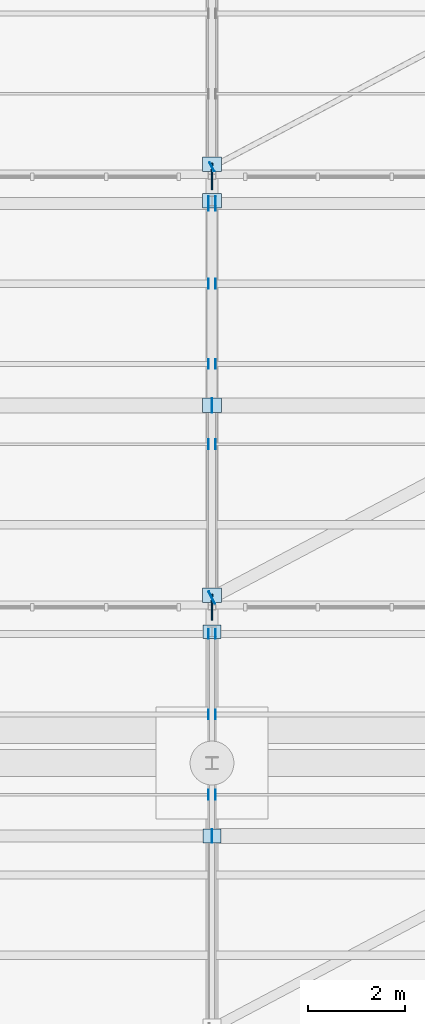
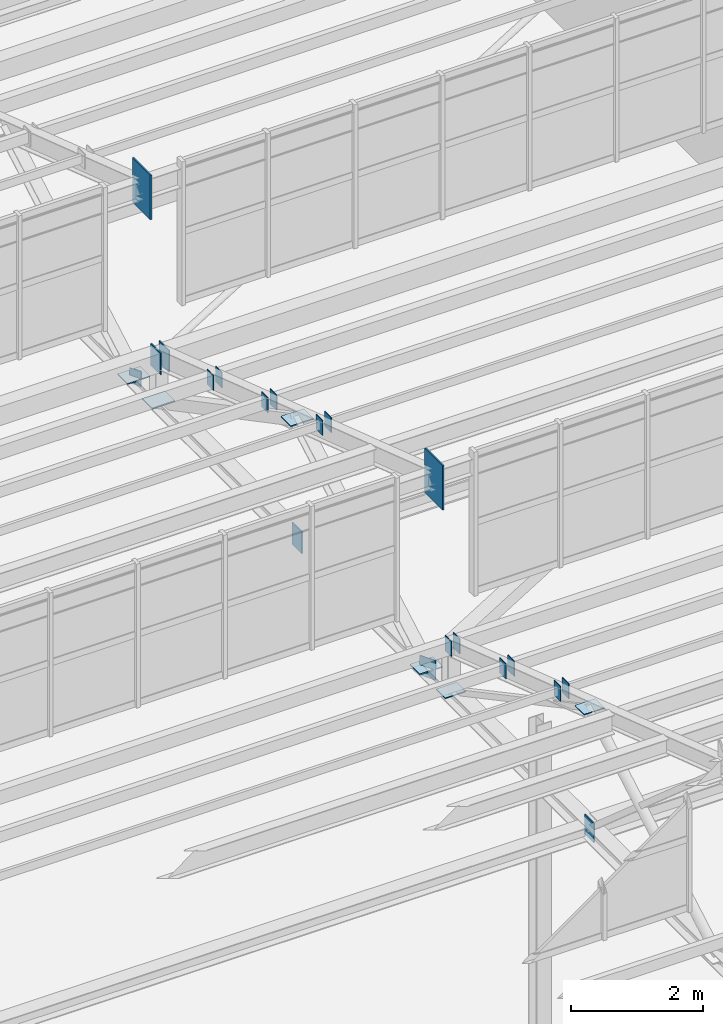
# One storey, part 210 of 285: 26 plates.
"""IFC4 building model written with IfcOpenShell, lengths in metres."""

from ifc_helpers import new_model, si_unit, direction, frame, origin, origin_2d, place, context, subcontext, project, spatial, rectangle, extrude, material, layer, layer_set, type_object, element, save


model = new_model("IFC4")

# Units and contexts
model_context = context("Model", 3, precision=1e-05, world=origin(), true_north=direction((0.0, 1.0)))
body_context = subcontext(model_context, "Body", "Model", "MODEL_VIEW")
ifc_project = project(units=[si_unit("LENGTHUNIT", "METRE"), si_unit("AREAUNIT", "SQUARE_METRE"), si_unit("VOLUMEUNIT", "CUBIC_METRE"), si_unit("PLANEANGLEUNIT", "RADIAN"), si_unit("MASSUNIT", "GRAM", prefix="KILO")], contexts=[model_context])

# Site, building, storey
site_placement = place(None, origin())
site = spatial("IfcSite", under=ifc_project, at=site_placement, CompositionType="ELEMENT")
building_placement = place(site_placement, origin())
building = spatial("IfcBuilding", under=site, at=building_placement, Name="Solanera Park Tramway Depot", CompositionType="ELEMENT")
storey_placement = place(building_placement, origin())
storey = spatial("IfcBuildingStorey", under=building, at=storey_placement, Name="L00", CompositionType="ELEMENT", Elevation=0.0)

# Plates
ifc_material_1 = material(Name="Steel AS/NZS 3679.1 Grade 350", Category="steel")
ifc_layer_1 = layer(ifc_material_1, 0.013916015625)
ifc_layer_set_1 = layer_set([ifc_layer_1], Name="Steel AS/NZS 3679.1 Grade 350")
plate_type_1 = type_object("IfcPlateType", Name="Hollow End Cap and Base Plate 280x200x14", PredefinedType="USERDEFINED", material=ifc_layer_set_1)
for number, where, z_axis, x_axis, name in (
    (1, (44.927978515625, 113.85009765625, 8.41064453125), (0.0, 0.0, 1.0), (1.0, 0.0, 0.0), "Hollow Section Welded End Cap Plate #0688"),
    (2, (45.072021484375, 113.85009765625, 8.41064453125), (0.0, 0.0, 1.0), (1.0, 0.0, 0.0), "Hollow Section Welded End Cap Plate #0689"),
    (3, (44.927978515625, 115.5, 7.8251953125), (0.0, 0.0, 1.0), (1.0, 0.0, 0.0), "Hollow Section Welded End Cap Plate #0708"),
    (4, (45.072021484375, 115.5, 7.8251953125), (0.0, 0.0, 1.0), (1.0, 0.0, 0.0), "Hollow Section Welded End Cap Plate #0709"),
    (5, (44.927978515625, 117.14990234375, 7.23974609375), (0.0, 0.0, 1.0), (1.0, 0.0, 0.0), "Hollow Section Welded End Cap Plate #0728"),
    (6, (45.072021484375, 117.14990234375, 7.23974609375), (0.0, 0.0, 1.0), (1.0, 0.0, 0.0), "Hollow Section Welded End Cap Plate #0729"),
    (7, (44.92529296875, 121.050048828125, 8.96240234375), (0.0, 0.0, 1.0), (1.0, 0.0, 0.0), "Hollow Section Welded End Cap Plate #0817"),
    (8, (45.07470703125, 121.050048828125, 8.96240234375), (0.0, 0.0, 1.0), (1.0, 0.0, 0.0), "Hollow Section Welded End Cap Plate #0818"),
    (9, (44.92529296875, 122.699951171875, 8.376953125), (0.0, 0.0, 1.0), (1.0, 0.0, 0.0), "Hollow Section Welded End Cap Plate #0837"),
    (10, (45.07470703125, 122.699951171875, 8.376953125), (0.0, 0.0, 1.0), (1.0, 0.0, 0.0), "Hollow Section Welded End Cap Plate #0838"),
    (11, (44.92529296875, 124.35009765625, 7.79150390625), (0.0, 0.0, 1.0), (1.0, 0.0, 0.0), "Hollow Section Welded End Cap Plate #0857"),
    (12, (45.07470703125, 124.35009765625, 7.79150390625), (0.0, 0.0, 1.0), (1.0, 0.0, 0.0), "Hollow Section Welded End Cap Plate #0858"),
    (13, (44.999267578125, 126.74853515625, 6.35986328125), (0.0, 0.0, 1.0), (0.883520501477, 0.468392488698, 0.0), "Hollow Section Welded End Cap Plate #0996"),
):
    element("IfcPlate", number, at=place(storey_placement, frame(where, z_axis=z_axis, x_axis=x_axis)), inside=storey, type_object=plate_type_1, Name=name, ObjectType="BASE PLATE", PredefinedType="USERDEFINED", context=body_context, shape_type="SweptSolid", body=[
        extrude(rectangle(XDim=0.013916015625, YDim=0.199951171875, at=origin_2d()), origin(), (0.0, 0.0, 1.0), 0.280029296875),
    ])
ifc_material_2 = material(Name="Steel AS/NZS 3679.1 Grade 350", Category="steel")
ifc_layer_2 = layer(ifc_material_2, 0.01806640625)
ifc_layer_set_2 = layer_set([ifc_layer_2], Name="Steel AS/NZS 3679.1 Grade 350")
plate_type_2 = type_object("IfcPlateType", Name="Hollow End Cap and Base Plate 360x280x18", PredefinedType="USERDEFINED", material=ifc_layer_set_2)
plate_1_placement = place(storey_placement, frame((45.0, 113.0, 6.31982421875), z_axis=(0.0, 0.0, 1.0), x_axis=(1.0, 0.0, 0.0)))
element("IfcPlate", 14, at=plate_1_placement, inside=storey, type_object=plate_type_2, Name="Sawtooth Truss Hollow End Cap #0644", ObjectType="BASE PLATE", PredefinedType="USERDEFINED", context=body_context, shape_type="SweptSolid", body=[
    extrude(rectangle(XDim=0.01806640625, YDim=0.280029296875, at=origin_2d()), origin(), (0.0, 0.0, 1.0), 0.360107421875),
])
for number, where, z_axis, x_axis, name in (
    (15, (45.0, 117.199951171875, 6.490966796875), (0.0, 0.0, 1.0), (1.0, 0.0, 0.0), "Sawtooth Truss Node Cap Plate #0645"),
    (16, (45.0, 113.0, 8.733642578125), (0.0, 0.0, 1.0), (1.0, 0.0, 0.0), "Sawtooth Truss Node Cap Plate #0646"),
):
    element("IfcPlate", number, at=place(storey_placement, frame(where, z_axis=z_axis, x_axis=x_axis)), inside=storey, type_object=plate_type_2, Name=name, ObjectType="BASE PLATE", PredefinedType="USERDEFINED", context=body_context, shape_type="SweptSolid", body=[
        extrude(rectangle(XDim=0.360107421875, YDim=0.280029296875, at=origin_2d()), origin(), (0.0, 0.0, 1.0), 0.01806640625),
    ])
plate_2_placement = place(storey_placement, frame((44.99755859375, 117.897705078125, 6.31982421875), z_axis=(0.0, 0.0, 1.0), x_axis=(0.883520501477, 0.468392488698, 0.0)))
element("IfcPlate", 17, at=plate_2_placement, inside=storey, type_object=plate_type_2, Name="Hollow Section Welded End Cap Plate #0894", ObjectType="BASE PLATE", PredefinedType="USERDEFINED", context=body_context, shape_type="SweptSolid", body=[
    extrude(rectangle(XDim=0.01806640625, YDim=0.280029296875, at=origin_2d()), origin(), (0.0, 0.0, 1.0), 0.360107421875),
])
ifc_material_3 = material(Name="Steel AS/NZS 3679.1 Grade 350", Category="steel")
ifc_layer_3 = layer(ifc_material_3, 0.02001953125)
ifc_layer_set_3 = layer_set([ifc_layer_3], Name="Steel AS/NZS 3679.1 Grade 350")
plate_type_3 = type_object("IfcPlateType", Name="Hollow End Cap and Base Plate 400x300x20", PredefinedType="USERDEFINED", material=ifc_layer_set_3)
plate_3_placement = place(storey_placement, frame((45.0, 121.85009765625, 6.300048828125), z_axis=(0.0, 0.0, 1.0), x_axis=(1.0, 0.0, 0.0)))
element("IfcPlate", 18, at=plate_3_placement, inside=storey, type_object=plate_type_3, Name="Sawtooth Truss Hollow End Cap #0773", ObjectType="BASE PLATE", PredefinedType="USERDEFINED", context=body_context, shape_type="SweptSolid", body=[
    extrude(rectangle(XDim=0.02001953125, YDim=0.300048828125, at=origin_2d()), origin(), (0.0, 0.0, 1.0), 0.39990234375),
])
for number, where, z_axis, x_axis, name in (
    (19, (45.0, 126.050048828125, 6.489990234375), (0.0, 0.0, 1.0), (1.0, 0.0, 0.0), "Sawtooth Truss Node Cap Plate #0774"),
    (20, (45.0, 121.85009765625, 8.70849609375), (0.0, 0.0, 1.0), (1.0, 0.0, 0.0), "Sawtooth Truss Node Cap Plate #0775"),
    (21, (45.0, 117.949951171875, 6.489990234375), (0.0, 0.0, 1.0), (1.0, 0.0, 0.0), "Sawtooth Truss Node Cap Plate #0776"),
):
    element("IfcPlate", number, at=place(storey_placement, frame(where, z_axis=z_axis, x_axis=x_axis)), inside=storey, type_object=plate_type_3, Name=name, ObjectType="BASE PLATE", PredefinedType="USERDEFINED", context=body_context, shape_type="SweptSolid", body=[
        extrude(rectangle(XDim=0.39990234375, YDim=0.300048828125, at=origin_2d()), origin(), (0.0, 0.0, 1.0), 0.02001953125),
    ])
for number, where, z_axis, x_axis, name in (
    (22, (44.92822265625, 126.0, 7.11279296875), (0.0, 0.0, 1.0), (1.0, 0.0, 0.0), "Hollow Section Welded End Cap Plate #0877"),
    (23, (45.07177734375, 126.0, 7.11279296875), (0.0, 0.0, 1.0), (1.0, 0.0, 0.0), "Hollow Section Welded End Cap Plate #0878"),
):
    element("IfcPlate", number, at=place(storey_placement, frame(where, z_axis=z_axis, x_axis=x_axis)), inside=storey, type_object=plate_type_3, Name=name, ObjectType="BASE PLATE", PredefinedType="USERDEFINED", context=body_context, shape_type="SweptSolid", body=[
        extrude(rectangle(XDim=0.02001953125, YDim=0.300048828125, at=origin_2d()), origin(), (0.0, 0.0, 1.0), 0.39990234375),
    ])
plate_4_placement = place(storey_placement, frame((45.0, 126.800048828125, 6.489990234375), z_axis=(0.0, 0.0, 1.0), x_axis=(1.0, 0.0, 0.0)))
element("IfcPlate", 24, at=plate_4_placement, inside=storey, type_object=plate_type_3, Name="Sawtooth Truss Node Cap Plate #0918", ObjectType="BASE PLATE", PredefinedType="USERDEFINED", context=body_context, shape_type="SweptSolid", body=[
    extrude(rectangle(XDim=0.39990234375, YDim=0.300048828125, at=origin_2d()), origin(), (0.0, 0.0, 1.0), 0.02001953125),
])
ifc_material_4 = material(Name="Steel AS/NZS 3679.1 Grade 350", Category="steel")
ifc_layer_4 = layer(ifc_material_4, 0.028076171875)
ifc_layer_set_4 = layer_set([ifc_layer_4], Name="Steel AS/NZS 3679.1 Grade 350")
plate_type_4 = type_object("IfcPlateType", Name="Truss Node Gusset Stiffener 820x540x28", PredefinedType="SHEET", material=ifc_layer_set_4)
for number, where, z_axis, x_axis, name in (
    (25, (45.0, 117.699951171875, 9.69677734375), (0.0, 0.0, 1.0), (1.0, 0.0, 0.0), "Sawtooth Truss Apex Gusset Plate #0772"),
    (26, (45.0, 126.550048828125, 9.69677734375), (0.0, 0.0, 1.0), (1.0, 0.0, 0.0), "Sawtooth Truss Apex Gusset Plate #0914"),
):
    element("IfcPlate", number, at=place(storey_placement, frame(where, z_axis=z_axis, x_axis=x_axis)), inside=storey, type_object=plate_type_4, Name=name, PredefinedType="SHEET", context=body_context, shape_type="SweptSolid", body=[
        extrude(rectangle(XDim=0.028076171875, YDim=0.5400390625, at=origin_2d()), origin(), (0.0, 0.0, 1.0), 0.820068359375),
    ])

save(model, "model.ifc")
